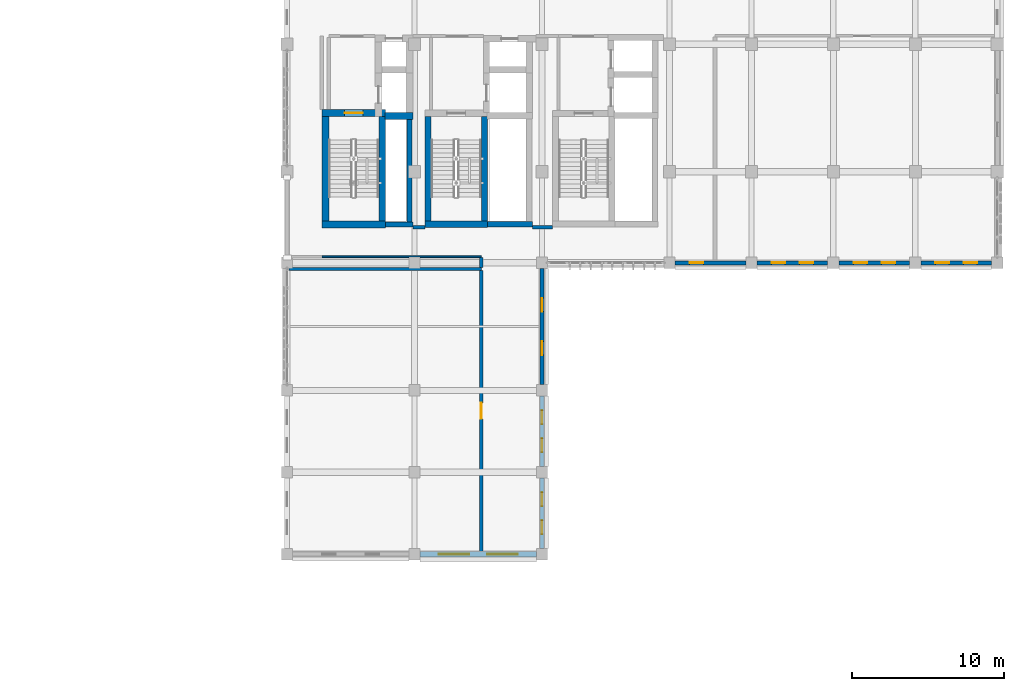
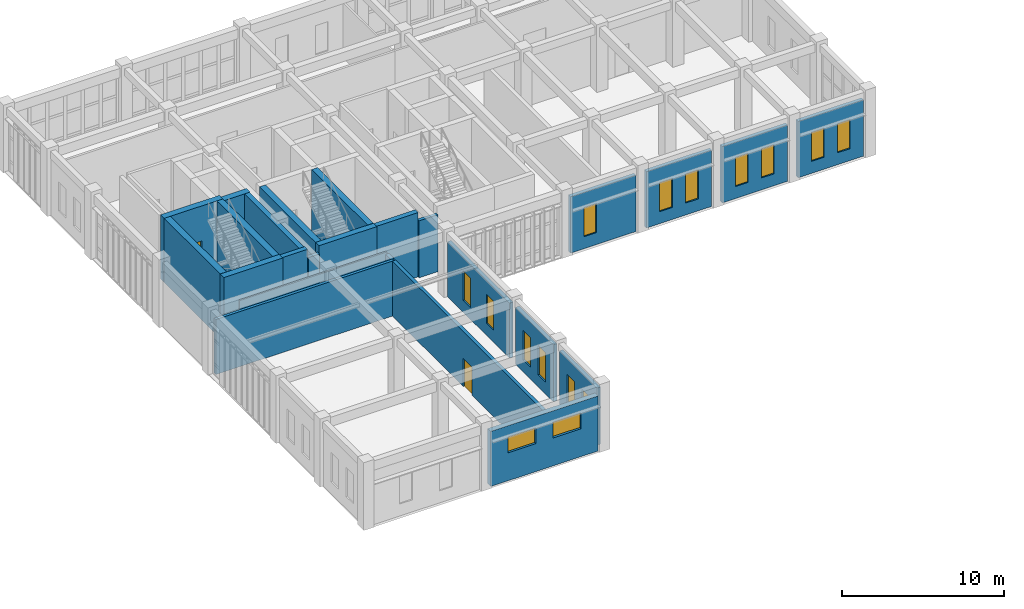
# One storey, part 66 of 77: 25 walls, 15 windows, 2 doors, 17 openings.
"""IFC4 building model written with IfcOpenShell, lengths in metres."""

from ifc_helpers import new_model, si_unit, direction, frame, frame_2d, origin, place, context, subcontext, project, spatial, rectangle, extrude, material, layer, layer_set, type_object, element, fill, save


model = new_model("IFC4")

# Units and contexts
model_context = context("Model", 3, precision=1e-05, world=origin(), true_north=direction((0.0, 1.0)))
body_context = subcontext(model_context, "Body", "Model", "MODEL_VIEW")
ifc_project = project(units=[si_unit("LENGTHUNIT", "METRE"), si_unit("AREAUNIT", "SQUARE_METRE"), si_unit("VOLUMEUNIT", "CUBIC_METRE"), si_unit("PLANEANGLEUNIT", "RADIAN"), si_unit("MASSUNIT", "GRAM", prefix="KILO")], contexts=[model_context])

# Site, building, storey
site_placement = place(None, origin())
site = spatial("IfcSite", under=ifc_project, at=site_placement, CompositionType="ELEMENT")
building_placement = place(site_placement, origin())
building = spatial("IfcBuilding", under=site, at=building_placement, Name="Krzemoval Escarpment Law Courts", CompositionType="ELEMENT")
storey_placement = place(building_placement, frame((0.0, 0.0, 15.300048828125)))
storey = spatial("IfcBuildingStorey", under=building, at=storey_placement, Name="L03", CompositionType="ELEMENT", Elevation=15.300048828125)

# Wall, openings, windows
ifc_material_1 = material(Name="Precast concrete C40/50", Category="concrete")
ifc_layer_1 = layer(ifc_material_1, 0.260009765625)
ifc_layer_set_1 = layer_set([ifc_layer_1], Name="Precast concrete C40/50")
wall_type_1 = type_object("IfcWallType", Name="WL-EXT-260", PredefinedType="SOLIDWALL", material=ifc_layer_set_1)
wall_1_placement = place(storey_placement, frame((172.425048828125, 93.60009765625, 0.0), z_axis=(0.0, 0.0, 1.0), x_axis=(-1.0, 0.0, 0.0)))
wall_1 = element("IfcWall", 1, at=wall_1_placement, inside=storey, type_object=wall_type_1, Name="Exterior Wall EW-L03-0384", PredefinedType="SOLIDWALL", context=body_context, shape_type="SweptSolid", body=[
    extrude(rectangle(XDim=4.650146484375, YDim=0.260009765625, at=frame_2d((2.3251953125, 0.0))), origin(), (0.0, 0.0, 1.0), 4.239990234375),
])
opening_1_placement = place(wall_1_placement, frame((0.949951171875, 0.0, 0.89990234375)))
opening_1 = element("IfcOpeningElement", 2, at=opening_1_placement, cuts=wall_1, Name="Opening WN-L03-0446", PredefinedType="OPENING", context=body_context, shape_type="SweptSolid", body=[
    extrude(rectangle(XDim=0.89990234375, YDim=2.199951171875, at=frame_2d((0.449951171875, 1.10009765625))), frame((0.0, 0.145, 0.0), z_axis=(0.0, -1.0, 0.0), x_axis=(1.0, 0.0, 0.0)), (0.0, 0.0, 1.0), 0.29001),
])
opening_2_placement = place(wall_1_placement, frame((2.800048828125, 0.0, 0.89990234375)))
opening_2 = element("IfcOpeningElement", 3, at=opening_2_placement, cuts=wall_1, Name="Opening WN-L03-0447", PredefinedType="OPENING", context=body_context, shape_type="SweptSolid", body=[
    extrude(rectangle(XDim=0.89990234375, YDim=2.199951171875, at=frame_2d((0.449951171875, 1.10009765625))), frame((0.0, 0.145, 0.0), z_axis=(0.0, -1.0, 0.0), x_axis=(1.0, 0.0, 0.0)), (0.0, 0.0, 1.0), 0.29001),
])
ifc_material_2 = material(Name="Thermally Broken Aluminium Frame with Triple Low-E Acoustic Glass", Category="aluminium")
window_type_1 = type_object("IfcWindowType", Name="WN-900x2200", PartitioningType="SINGLE_PANEL", PredefinedType="WINDOW", material=ifc_material_2)
window_1_placement = place(opening_1_placement, origin())
window_1 = element("IfcWindow", 4, at=window_1_placement, inside=storey, type_object=window_type_1, Name="Facade Window WN-L03-0446", OverallHeight=2.199951171875, OverallWidth=0.89990234375, PartitioningType="SINGLE_PANEL", PredefinedType="WINDOW", context=body_context, shape_type="SweptSolid", body=[
    extrude(rectangle(XDim=0.89990234375, YDim=2.199951171875, at=frame_2d((0.449951171875, 1.10009765625))), frame((0.0, 0.030029296875, 0.0), z_axis=(0.0, -1.0, 0.0), x_axis=(1.0, 0.0, 0.0)), (0.0, 0.0, 1.0), 0.06005859375),
])
fill(opening_1, window_1)
window_2_placement = place(opening_2_placement, origin())
window_2 = element("IfcWindow", 5, at=window_2_placement, inside=storey, type_object=window_type_1, Name="Facade Window WN-L03-0447", OverallHeight=2.199951171875, OverallWidth=0.89990234375, PartitioningType="SINGLE_PANEL", PredefinedType="WINDOW", context=body_context, shape_type="SweptSolid", body=[
    extrude(rectangle(XDim=0.89990234375, YDim=2.199951171875, at=frame_2d((0.449951171875, 1.10009765625))), frame((0.0, 0.030029296875, 0.0), z_axis=(0.0, -1.0, 0.0), x_axis=(1.0, 0.0, 0.0)), (0.0, 0.0, 1.0), 0.06005859375),
])
fill(opening_2, window_2)

wall_2_placement = place(storey_placement, frame((167.02490234375, 93.60009765625, 0.0), z_axis=(0.0, 0.0, 1.0), x_axis=(-1.0, 0.0, 0.0)))
wall_2 = element("IfcWall", 6, at=wall_2_placement, inside=storey, type_object=wall_type_1, Name="Exterior Wall EW-L03-0385", PredefinedType="SOLIDWALL", context=body_context, shape_type="SweptSolid", body=[
    extrude(rectangle(XDim=4.64990234375, YDim=0.260009765625, at=frame_2d((2.324951171875, 0.0))), origin(), (0.0, 0.0, 1.0), 4.239990234375),
])
opening_3_placement = place(wall_2_placement, frame((0.949951171875, 0.0, 0.89990234375)))
opening_3 = element("IfcOpeningElement", 7, at=opening_3_placement, cuts=wall_2, Name="Opening WN-L03-0448", PredefinedType="OPENING", context=body_context, shape_type="SweptSolid", body=[
    extrude(rectangle(XDim=0.89990234375, YDim=2.199951171875, at=frame_2d((0.449951171875, 1.10009765625))), frame((0.0, 0.145, 0.0), z_axis=(0.0, -1.0, 0.0), x_axis=(1.0, 0.0, 0.0)), (0.0, 0.0, 1.0), 0.29001),
])
opening_4_placement = place(wall_2_placement, frame((2.800048828125, 0.0, 0.89990234375)))
opening_4 = element("IfcOpeningElement", 8, at=opening_4_placement, cuts=wall_2, Name="Opening WN-L03-0449", PredefinedType="OPENING", context=body_context, shape_type="SweptSolid", body=[
    extrude(rectangle(XDim=0.89990234375, YDim=2.199951171875, at=frame_2d((0.449951171875, 1.10009765625))), frame((0.0, 0.145, 0.0), z_axis=(0.0, -1.0, 0.0), x_axis=(1.0, 0.0, 0.0)), (0.0, 0.0, 1.0), 0.29001),
])
window_3_placement = place(opening_3_placement, origin())
window_3 = element("IfcWindow", 9, at=window_3_placement, inside=storey, type_object=window_type_1, Name="Facade Window WN-L03-0448", OverallHeight=2.199951171875, OverallWidth=0.89990234375, PartitioningType="SINGLE_PANEL", PredefinedType="WINDOW", context=body_context, shape_type="SweptSolid", body=[
    extrude(rectangle(XDim=0.89990234375, YDim=2.199951171875, at=frame_2d((0.449951171875, 1.10009765625))), frame((0.0, 0.030029296875, 0.0), z_axis=(0.0, -1.0, 0.0), x_axis=(1.0, 0.0, 0.0)), (0.0, 0.0, 1.0), 0.06005859375),
])
fill(opening_3, window_3)
window_4_placement = place(opening_4_placement, origin())
window_4 = element("IfcWindow", 10, at=window_4_placement, inside=storey, type_object=window_type_1, Name="Facade Window WN-L03-0449", OverallHeight=2.199951171875, OverallWidth=0.89990234375, PartitioningType="SINGLE_PANEL", PredefinedType="WINDOW", context=body_context, shape_type="SweptSolid", body=[
    extrude(rectangle(XDim=0.89990234375, YDim=2.199951171875, at=frame_2d((0.449951171875, 1.10009765625))), frame((0.0, 0.030029296875, 0.0), z_axis=(0.0, -1.0, 0.0), x_axis=(1.0, 0.0, 0.0)), (0.0, 0.0, 1.0), 0.06005859375),
])
fill(opening_4, window_4)

wall_3_placement = place(storey_placement, frame((161.625, 93.60009765625, 0.0), z_axis=(0.0, 0.0, 1.0), x_axis=(-1.0, 0.0, 0.0)))
wall_3 = element("IfcWall", 11, at=wall_3_placement, inside=storey, type_object=wall_type_1, Name="Exterior Wall EW-L03-0386", PredefinedType="SOLIDWALL", context=body_context, shape_type="SweptSolid", body=[
    extrude(rectangle(XDim=4.64990234375, YDim=0.260009765625, at=frame_2d((2.324951171875, 0.0))), origin(), (0.0, 0.0, 1.0), 4.239990234375),
])
opening_5_placement = place(wall_3_placement, frame((0.949951171875, 0.0, 0.89990234375)))
opening_5 = element("IfcOpeningElement", 12, at=opening_5_placement, cuts=wall_3, Name="Opening WN-L03-0450", PredefinedType="OPENING", context=body_context, shape_type="SweptSolid", body=[
    extrude(rectangle(XDim=0.89990234375, YDim=2.199951171875, at=frame_2d((0.449951171875, 1.10009765625))), frame((0.0, 0.145, 0.0), z_axis=(0.0, -1.0, 0.0), x_axis=(1.0, 0.0, 0.0)), (0.0, 0.0, 1.0), 0.29001),
])
opening_6_placement = place(wall_3_placement, frame((2.800048828125, 0.0, 0.89990234375)))
opening_6 = element("IfcOpeningElement", 13, at=opening_6_placement, cuts=wall_3, Name="Opening WN-L03-0451", PredefinedType="OPENING", context=body_context, shape_type="SweptSolid", body=[
    extrude(rectangle(XDim=0.89990234375, YDim=2.199951171875, at=frame_2d((0.449951171875, 1.10009765625))), frame((0.0, 0.145, 0.0), z_axis=(0.0, -1.0, 0.0), x_axis=(1.0, 0.0, 0.0)), (0.0, 0.0, 1.0), 0.29001),
])
window_5_placement = place(opening_5_placement, origin())
window_5 = element("IfcWindow", 14, at=window_5_placement, inside=storey, type_object=window_type_1, Name="Facade Window WN-L03-0450", OverallHeight=2.199951171875, OverallWidth=0.89990234375, PartitioningType="SINGLE_PANEL", PredefinedType="WINDOW", context=body_context, shape_type="SweptSolid", body=[
    extrude(rectangle(XDim=0.89990234375, YDim=2.199951171875, at=frame_2d((0.449951171875, 1.10009765625))), frame((0.0, 0.030029296875, 0.0), z_axis=(0.0, -1.0, 0.0), x_axis=(1.0, 0.0, 0.0)), (0.0, 0.0, 1.0), 0.06005859375),
])
fill(opening_5, window_5)
window_6_placement = place(opening_6_placement, origin())
window_6 = element("IfcWindow", 15, at=window_6_placement, inside=storey, type_object=window_type_1, Name="Facade Window WN-L03-0451", OverallHeight=2.199951171875, OverallWidth=0.89990234375, PartitioningType="SINGLE_PANEL", PredefinedType="WINDOW", context=body_context, shape_type="SweptSolid", body=[
    extrude(rectangle(XDim=0.89990234375, YDim=2.199951171875, at=frame_2d((0.449951171875, 1.10009765625))), frame((0.0, 0.030029296875, 0.0), z_axis=(0.0, -1.0, 0.0), x_axis=(1.0, 0.0, 0.0)), (0.0, 0.0, 1.0), 0.06005859375),
])
fill(opening_6, window_6)

# Wall, opening, window
wall_4_placement = place(storey_placement, frame((156.22509765625, 93.60009765625, 0.0), z_axis=(0.0, 0.0, 1.0), x_axis=(-1.0, 0.0, 0.0)))
wall_4 = element("IfcWall", 16, at=wall_4_placement, inside=storey, type_object=wall_type_1, Name="Exterior Wall EW-L03-0387", PredefinedType="SOLIDWALL", context=body_context, shape_type="SweptSolid", body=[
    extrude(rectangle(XDim=4.650146484375, YDim=0.260009765625, at=frame_2d((2.3251953125, 0.0))), origin(), (0.0, 0.0, 1.0), 4.239990234375),
])
opening_7_placement = place(wall_4_placement, frame((2.800048828125, 0.0, 0.89990234375)))
opening_7 = element("IfcOpeningElement", 17, at=opening_7_placement, cuts=wall_4, Name="Opening WN-L03-0452", PredefinedType="OPENING", context=body_context, shape_type="SweptSolid", body=[
    extrude(rectangle(XDim=0.89990234375, YDim=2.199951171875, at=frame_2d((0.449951171875, 1.10009765625))), frame((0.0, 0.145, 0.0), z_axis=(0.0, -1.0, 0.0), x_axis=(1.0, 0.0, 0.0)), (0.0, 0.0, 1.0), 0.29001),
])
window_7_placement = place(opening_7_placement, origin())
window_7 = element("IfcWindow", 18, at=window_7_placement, inside=storey, type_object=window_type_1, Name="Facade Window WN-L03-0452", OverallHeight=2.199951171875, OverallWidth=0.89990234375, PartitioningType="SINGLE_PANEL", PredefinedType="WINDOW", context=body_context, shape_type="SweptSolid", body=[
    extrude(rectangle(XDim=0.89990234375, YDim=2.199951171875, at=frame_2d((0.449951171875, 1.10009765625))), frame((0.0, 0.030029296875, 0.0), z_axis=(0.0, -1.0, 0.0), x_axis=(1.0, 0.0, 0.0)), (0.0, 0.0, 1.0), 0.06005859375),
])
fill(opening_7, window_7)

# Wall, openings, windows
wall_5_placement = place(storey_placement, frame((142.800048828125, 93.22509765625, 0.0), z_axis=(0.0, 0.0, 1.0), x_axis=(0.0, -1.0, 0.0)))
wall_5 = element("IfcWall", 19, at=wall_5_placement, inside=storey, type_object=wall_type_1, Name="Exterior Wall EW-L03-0388", PredefinedType="SOLIDWALL", context=body_context, shape_type="SweptSolid", body=[
    extrude(rectangle(XDim=7.650146484375, YDim=0.260009765625, at=frame_2d((3.8251953125, 0.0))), origin(), (0.0, 0.0, 1.0), 4.139892578125),
])
opening_8_placement = place(wall_5_placement, frame((1.949951171875, 0.0, 0.89990234375)))
opening_8 = element("IfcOpeningElement", 20, at=opening_8_placement, cuts=wall_5, Name="Opening WN-L03-0453", PredefinedType="OPENING", context=body_context, shape_type="SweptSolid", body=[
    extrude(rectangle(XDim=0.89990234375, YDim=2.199951171875, at=frame_2d((0.449951171875, 1.10009765625))), frame((0.0, 0.145, 0.0), z_axis=(0.0, -1.0, 0.0), x_axis=(1.0, 0.0, 0.0)), (0.0, 0.0, 1.0), 0.29001),
])
opening_9_placement = place(wall_5_placement, frame((4.800048828125, 0.0, 0.89990234375)))
opening_9 = element("IfcOpeningElement", 21, at=opening_9_placement, cuts=wall_5, Name="Opening WN-L03-0454", PredefinedType="OPENING", context=body_context, shape_type="SweptSolid", body=[
    extrude(rectangle(XDim=0.89990234375, YDim=2.199951171875, at=frame_2d((0.449951171875, 1.10009765625))), frame((0.0, 0.145, 0.0), z_axis=(0.0, -1.0, 0.0), x_axis=(1.0, 0.0, 0.0)), (0.0, 0.0, 1.0), 0.29001),
])
window_8_placement = place(opening_8_placement, origin())
window_8 = element("IfcWindow", 22, at=window_8_placement, inside=storey, type_object=window_type_1, Name="Facade Window WN-L03-0453", OverallHeight=2.199951171875, OverallWidth=0.89990234375, PartitioningType="SINGLE_PANEL", PredefinedType="WINDOW", context=body_context, shape_type="SweptSolid", body=[
    extrude(rectangle(XDim=0.89990234375, YDim=2.199951171875, at=frame_2d((0.449951171875, 1.10009765625))), frame((0.0, 0.030029296875, 0.0), z_axis=(0.0, -1.0, 0.0), x_axis=(1.0, 0.0, 0.0)), (0.0, 0.0, 1.0), 0.06005859375),
])
fill(opening_8, window_8)
window_9_placement = place(opening_9_placement, origin())
window_9 = element("IfcWindow", 23, at=window_9_placement, inside=storey, type_object=window_type_1, Name="Facade Window WN-L03-0454", OverallHeight=2.199951171875, OverallWidth=0.89990234375, PartitioningType="SINGLE_PANEL", PredefinedType="WINDOW", context=body_context, shape_type="SweptSolid", body=[
    extrude(rectangle(XDim=0.89990234375, YDim=2.199951171875, at=frame_2d((0.449951171875, 1.10009765625))), frame((0.0, 0.030029296875, 0.0), z_axis=(0.0, -1.0, 0.0), x_axis=(1.0, 0.0, 0.0)), (0.0, 0.0, 1.0), 0.06005859375),
])
fill(opening_9, window_9)

wall_6_placement = place(storey_placement, frame((142.800048828125, 84.824951171875, 0.0), z_axis=(0.0, 0.0, 1.0), x_axis=(0.0, -1.0, 0.0)))
wall_6 = element("IfcWall", 24, at=wall_6_placement, inside=storey, type_object=wall_type_1, Name="Exterior Wall EW-L03-0389", PredefinedType="SOLIDWALL", context=body_context, shape_type="SweptSolid", body=[
    extrude(rectangle(XDim=4.64990234375, YDim=0.260009765625, at=frame_2d((2.324951171875, 0.0))), origin(), (0.0, 0.0, 1.0), 4.2900390625),
])
opening_10_placement = place(wall_6_placement, frame((0.949951171875, 0.0, 0.89990234375)))
opening_10 = element("IfcOpeningElement", 25, at=opening_10_placement, cuts=wall_6, Name="Opening WN-L03-0455", PredefinedType="OPENING", context=body_context, shape_type="SweptSolid", body=[
    extrude(rectangle(XDim=0.89990234375, YDim=2.199951171875, at=frame_2d((0.449951171875, 1.10009765625))), frame((0.0, 0.145, 0.0), z_axis=(0.0, -1.0, 0.0), x_axis=(1.0, 0.0, 0.0)), (0.0, 0.0, 1.0), 0.29001),
])
opening_11_placement = place(wall_6_placement, frame((2.800048828125, 0.0, 0.89990234375)))
opening_11 = element("IfcOpeningElement", 26, at=opening_11_placement, cuts=wall_6, Name="Opening WN-L03-0456", PredefinedType="OPENING", context=body_context, shape_type="SweptSolid", body=[
    extrude(rectangle(XDim=0.89990234375, YDim=2.199951171875, at=frame_2d((0.449951171875, 1.10009765625))), frame((0.0, 0.145, 0.0), z_axis=(0.0, -1.0, 0.0), x_axis=(1.0, 0.0, 0.0)), (0.0, 0.0, 1.0), 0.29001),
])
window_10_placement = place(opening_10_placement, origin())
window_10 = element("IfcWindow", 27, at=window_10_placement, inside=storey, type_object=window_type_1, Name="Facade Window WN-L03-0455", OverallHeight=2.199951171875, OverallWidth=0.89990234375, PartitioningType="SINGLE_PANEL", PredefinedType="WINDOW", context=body_context, shape_type="SweptSolid", body=[
    extrude(rectangle(XDim=0.89990234375, YDim=2.199951171875, at=frame_2d((0.449951171875, 1.10009765625))), frame((0.0, 0.030029296875, 0.0), z_axis=(0.0, -1.0, 0.0), x_axis=(1.0, 0.0, 0.0)), (0.0, 0.0, 1.0), 0.06005859375),
])
fill(opening_10, window_10)
window_11_placement = place(opening_11_placement, origin())
window_11 = element("IfcWindow", 28, at=window_11_placement, inside=storey, type_object=window_type_1, Name="Facade Window WN-L03-0456", OverallHeight=2.199951171875, OverallWidth=0.89990234375, PartitioningType="SINGLE_PANEL", PredefinedType="WINDOW", context=body_context, shape_type="SweptSolid", body=[
    extrude(rectangle(XDim=0.89990234375, YDim=2.199951171875, at=frame_2d((0.449951171875, 1.10009765625))), frame((0.0, 0.030029296875, 0.0), z_axis=(0.0, -1.0, 0.0), x_axis=(1.0, 0.0, 0.0)), (0.0, 0.0, 1.0), 0.06005859375),
])
fill(opening_11, window_11)

wall_7_placement = place(storey_placement, frame((142.800048828125, 79.425048828125, 0.0), z_axis=(0.0, 0.0, 1.0), x_axis=(0.0, -1.0, 0.0)))
wall_7 = element("IfcWall", 29, at=wall_7_placement, inside=storey, type_object=wall_type_1, Name="Exterior Wall EW-L03-0390", PredefinedType="SOLIDWALL", context=body_context, shape_type="SweptSolid", body=[
    extrude(rectangle(XDim=4.650146484375, YDim=0.260009765625, at=frame_2d((2.3251953125, 0.0))), origin(), (0.0, 0.0, 1.0), 4.2900390625),
])
opening_12_placement = place(wall_7_placement, frame((0.949951171875, 0.0, 0.89990234375)))
opening_12 = element("IfcOpeningElement", 30, at=opening_12_placement, cuts=wall_7, Name="Opening WN-L03-0457", PredefinedType="OPENING", context=body_context, shape_type="SweptSolid", body=[
    extrude(rectangle(XDim=0.89990234375, YDim=2.199951171875, at=frame_2d((0.449951171875, 1.10009765625))), frame((0.0, 0.145, 0.0), z_axis=(0.0, -1.0, 0.0), x_axis=(1.0, 0.0, 0.0)), (0.0, 0.0, 1.0), 0.29001),
])
opening_13_placement = place(wall_7_placement, frame((2.800048828125, 0.0, 0.89990234375)))
opening_13 = element("IfcOpeningElement", 31, at=opening_13_placement, cuts=wall_7, Name="Opening WN-L03-0458", PredefinedType="OPENING", context=body_context, shape_type="SweptSolid", body=[
    extrude(rectangle(XDim=0.89990234375, YDim=2.199951171875, at=frame_2d((0.449951171875, 1.10009765625))), frame((0.0, 0.145, 0.0), z_axis=(0.0, -1.0, 0.0), x_axis=(1.0, 0.0, 0.0)), (0.0, 0.0, 1.0), 0.29001),
])
window_12_placement = place(opening_12_placement, origin())
window_12 = element("IfcWindow", 32, at=window_12_placement, inside=storey, type_object=window_type_1, Name="Facade Window WN-L03-0457", OverallHeight=2.199951171875, OverallWidth=0.89990234375, PartitioningType="SINGLE_PANEL", PredefinedType="WINDOW", context=body_context, shape_type="SweptSolid", body=[
    extrude(rectangle(XDim=0.89990234375, YDim=2.199951171875, at=frame_2d((0.449951171875, 1.10009765625))), frame((0.0, 0.030029296875, 0.0), z_axis=(0.0, -1.0, 0.0), x_axis=(1.0, 0.0, 0.0)), (0.0, 0.0, 1.0), 0.06005859375),
])
fill(opening_12, window_12)
window_13_placement = place(opening_13_placement, origin())
window_13 = element("IfcWindow", 33, at=window_13_placement, inside=storey, type_object=window_type_1, Name="Facade Window WN-L03-0458", OverallHeight=2.199951171875, OverallWidth=0.89990234375, PartitioningType="SINGLE_PANEL", PredefinedType="WINDOW", context=body_context, shape_type="SweptSolid", body=[
    extrude(rectangle(XDim=0.89990234375, YDim=2.199951171875, at=frame_2d((0.449951171875, 1.10009765625))), frame((0.0, 0.030029296875, 0.0), z_axis=(0.0, -1.0, 0.0), x_axis=(1.0, 0.0, 0.0)), (0.0, 0.0, 1.0), 0.06005859375),
])
fill(opening_13, window_13)

ifc_material_3 = material(Name="Concrete C40/50", Category="concrete")
ifc_layer_2 = layer(ifc_material_3, 0.3798828125)
ifc_layer_set_2 = layer_set([ifc_layer_2], Name="Concrete C40/50")
wall_type_2 = type_object("IfcWallType", Name="WL-EXT-380", PredefinedType="SOLIDWALL", material=ifc_layer_set_2)
wall_8_placement = place(storey_placement, frame((142.425048828125, 74.39990234375, 0.0), z_axis=(0.0, 0.0, 1.0), x_axis=(-1.0, 0.0, 0.0)))
wall_8 = element("IfcWall", 34, at=wall_8_placement, inside=storey, type_object=wall_type_2, Name="Exterior Wall EW-L03-0391", PredefinedType="SOLIDWALL", context=body_context, shape_type="SweptSolid", body=[
    extrude(rectangle(XDim=7.650146484375, YDim=0.3798828125, at=frame_2d((3.8251953125, 0.0))), origin(), (0.0, 0.0, 1.0), 4.139892578125),
])
opening_14_placement = place(wall_8_placement, frame((1.217041015625, 0.0, 2.10009765625)))
opening_14 = element("IfcOpeningElement", 35, at=opening_14_placement, cuts=wall_8, Name="Opening WN-L03-0459", PredefinedType="OPENING", context=body_context, shape_type="SweptSolid", body=[
    extrude(rectangle(XDim=2.0, YDim=1.199951171875, at=frame_2d((1.0, 0.60009765625))), frame((0.0, 0.20494, 0.0), z_axis=(0.0, -1.0, 0.0), x_axis=(1.0, 0.0, 0.0)), (0.0, 0.0, 1.0), 0.40988),
])
opening_15_placement = place(wall_8_placement, frame((4.43310546875, 0.0, 2.10009765625)))
opening_15 = element("IfcOpeningElement", 36, at=opening_15_placement, cuts=wall_8, Name="Opening WN-L03-0460", PredefinedType="OPENING", context=body_context, shape_type="SweptSolid", body=[
    extrude(rectangle(XDim=2.0, YDim=1.199951171875, at=frame_2d((1.0, 0.60009765625))), frame((0.0, 0.20494, 0.0), z_axis=(0.0, -1.0, 0.0), x_axis=(1.0, 0.0, 0.0)), (0.0, 0.0, 1.0), 0.40988),
])
ifc_material_4 = material(Name="Thermally Broken Aluminium Frame with Triple Low-E Acoustic Glass", Category="aluminium")
window_type_2 = type_object("IfcWindowType", Name="WN-2000x1200", PartitioningType="SINGLE_PANEL", PredefinedType="WINDOW", material=ifc_material_4)
window_14_placement = place(opening_14_placement, origin())
window_14 = element("IfcWindow", 37, at=window_14_placement, inside=storey, type_object=window_type_2, Name="Facade Window WN-L03-0459", OverallHeight=1.199951171875, OverallWidth=2.0, PartitioningType="SINGLE_PANEL", PredefinedType="WINDOW", context=body_context, shape_type="SweptSolid", body=[
    extrude(rectangle(XDim=2.0, YDim=1.199951171875, at=frame_2d((1.0, 0.60009765625))), frame((0.0, 0.030029296875, 0.0), z_axis=(0.0, -1.0, 0.0), x_axis=(1.0, 0.0, 0.0)), (0.0, 0.0, 1.0), 0.06005859375),
])
fill(opening_14, window_14)
window_15_placement = place(opening_15_placement, origin())
window_15 = element("IfcWindow", 38, at=window_15_placement, inside=storey, type_object=window_type_2, Name="Facade Window WN-L03-0460", OverallHeight=1.199951171875, OverallWidth=2.0, PartitioningType="SINGLE_PANEL", PredefinedType="WINDOW", context=body_context, shape_type="SweptSolid", body=[
    extrude(rectangle(XDim=2.0, YDim=1.199951171875, at=frame_2d((1.0, 0.60009765625))), frame((0.0, 0.030029296875, 0.0), z_axis=(0.0, -1.0, 0.0), x_axis=(1.0, 0.0, 0.0)), (0.0, 0.0, 1.0), 0.06005859375),
])
fill(opening_15, window_15)

# Walls
ifc_material_5 = material(Name="Light Internal Subdivision Partition", Category="gypsum")
ifc_layer_3 = layer(ifc_material_5, 0.114990234375)
ifc_layer_set_3 = layer_set([ifc_layer_3], Name="Light Internal Subdivision Partition")
wall_type_3 = type_object("IfcWallType", Name="WL-PRT-115", PredefinedType="PARTITIONING", material=ifc_layer_set_3)
wall_9_placement = place(storey_placement, frame((128.300048828125, 94.0, 0.0), z_axis=(0.0, 0.0, 1.0), x_axis=(1.0, 0.0, 0.0)))
element("IfcWall", 39, at=wall_9_placement, inside=storey, type_object=wall_type_3, Name="Interior Partition PW-L03-0520", PredefinedType="PARTITIONING", context=body_context, shape_type="SweptSolid", body=[
    extrude(rectangle(XDim=10.5, YDim=0.114990234375, at=frame_2d((5.25, 0.0))), origin(), (0.0, 0.0, 1.0), 4.2900390625),
])
ifc_material_6 = material(Name="Fire-Rated Corridor Partition Wall", Category="gypsum")
ifc_layer_4 = layer(ifc_material_6, 0.199951171875)
ifc_layer_set_4 = layer_set([ifc_layer_4], Name="Fire-Rated Corridor Partition Wall")
wall_type_4 = type_object("IfcWallType", Name="WL-PRT-200", PredefinedType="PARTITIONING", material=ifc_layer_set_4)
wall_10_placement = place(storey_placement, frame((126.114990234375, 93.199951171875, 0.0), z_axis=(0.0, 0.0, 1.0), x_axis=(1.0, 0.0, 0.0)))
element("IfcWall", 40, at=wall_10_placement, inside=storey, type_object=wall_type_4, Name="Interior Partition PW-L03-0518", PredefinedType="PARTITIONING", context=body_context, shape_type="SweptSolid", body=[
    extrude(rectangle(XDim=12.68505859375, YDim=0.199951171875, at=frame_2d((6.342529296875, 0.0))), origin(), (0.0, 0.0, 1.0), 4.139892578125),
])
ifc_material_7 = material(Name="Acoustic Calcium-Silicate Block Wall", Category="masonry")
ifc_layer_5 = layer(ifc_material_7, 0.22998046875)
ifc_layer_set_5 = layer_set([ifc_layer_5], Name="Acoustic Calcium-Silicate Block Wall")
wall_type_5 = type_object("IfcWallType", Name="WL-PRT-230", PredefinedType="SOLIDWALL", material=ifc_layer_set_5)
wall_11_placement = place(storey_placement, frame((134.300048828125, 95.949951171875, 0.0), z_axis=(0.0, 0.0, 1.0), x_axis=(1.0, 0.0, 0.0)))
element("IfcWall", 41, at=wall_11_placement, inside=storey, type_object=wall_type_5, Name="Interior Partition PW-L03-0521", PredefinedType="SOLIDWALL", context=body_context, shape_type="SweptSolid", body=[
    extrude(rectangle(XDim=0.780029296875, YDim=0.22998046875, at=frame_2d((0.39013671875, 0.0))), origin(), (0.0, 0.0, 1.0), 4.2900390625),
])
wall_12_placement = place(storey_placement, frame((142.169921875, 95.949951171875, 0.0), z_axis=(0.0, 0.0, 1.0), x_axis=(1.0, 0.0, 0.0)))
element("IfcWall", 42, at=wall_12_placement, inside=storey, type_object=wall_type_5, Name="Interior Partition PW-L03-0522", PredefinedType="SOLIDWALL", context=body_context, shape_type="SweptSolid", body=[
    extrude(rectangle(XDim=1.330078125, YDim=0.22998046875, at=frame_2d((0.6650390625, 0.0))), origin(), (0.0, 0.0, 1.0), 4.2900390625),
])

# Wall, opening, door
wall_13_placement = place(storey_placement, frame((138.800048828125, 74.592041015625, 0.0), z_axis=(0.0, 0.0, 1.0), x_axis=(0.0, 1.0, 0.0)))
wall_13 = element("IfcWall", 43, at=wall_13_placement, inside=storey, type_object=wall_type_5, Name="Interior Partition PW-L03-0580", PredefinedType="SOLIDWALL", context=body_context, shape_type="SweptSolid", body=[
    extrude(rectangle(XDim=18.505859375, YDim=0.22998046875, at=frame_2d((9.2529296875, 0.0))), origin(), (0.0, 0.0, 1.0), 4.139892578125),
])
opening_16_placement = place(wall_13_placement, frame((8.72802734375, 0.0, 0.0)))
opening_16 = element("IfcOpeningElement", 44, at=opening_16_placement, cuts=wall_13, Name="Opening D-L03-0196", PredefinedType="OPENING", context=body_context, shape_type="SweptSolid", body=[
    extrude(rectangle(XDim=1.050048828125, YDim=2.10009765625, at=frame_2d((0.52490234375, 1.050048828125))), frame((0.0, 0.12999, 0.0), z_axis=(0.0, -1.0, 0.0), x_axis=(1.0, 0.0, 0.0)), (0.0, 0.0, 1.0), 0.25998),
])
ifc_material_8 = material(Name="Engineered Solid-Core Oak Acoustic Timber", Category="wood")
door_type_1 = type_object("IfcDoorType", Name="DR-INT-1050x2100", OperationType="SINGLE_SWING_LEFT", PredefinedType="DOOR", material=ifc_material_8)
door_1_placement = place(opening_16_placement, origin())
door_1 = element("IfcDoor", 45, at=door_1_placement, inside=storey, type_object=door_type_1, Name="Room Door D-L03-0196", OperationType="SINGLE_SWING_RIGHT", OverallHeight=2.10009765625, OverallWidth=1.050048828125, PredefinedType="DOOR", context=body_context, shape_type="SweptSolid", body=[
    extrude(rectangle(XDim=1.050048828125, YDim=2.10009765625, at=frame_2d((0.52490234375, 1.050048828125))), frame((0.0, 0.02490234375, 0.0), z_axis=(0.0, -1.0, 0.0), x_axis=(1.0, 0.0, 0.0)), (0.0, 0.0, 1.0), 0.050048828125),
])
fill(opening_16, door_1)

# Walls
ifc_material_9 = material(Name="Acoustic Courtroom Partition Assembly", Category="gypsum")
ifc_layer_6 = layer(ifc_material_9, 0.239990234375)
ifc_layer_set_6 = layer_set([ifc_layer_6], Name="Acoustic Courtroom Partition Assembly")
wall_type_6 = type_object("IfcWallType", Name="WL-PRT-240", PredefinedType="PARTITIONING", material=ifc_layer_set_6)
wall_14_placement = place(storey_placement, frame((138.800048828125, 93.302001953125, 0.0), z_axis=(0.0, 0.0, 1.0), x_axis=(0.0, 1.0, 0.0)))
element("IfcWall", 46, at=wall_14_placement, inside=storey, type_object=wall_type_6, Name="Interior Partition PW-L03-0581", PredefinedType="PARTITIONING", context=body_context, shape_type="SweptSolid", body=[
    extrude(rectangle(XDim=0.638916015625, YDim=0.239990234375, at=frame_2d((0.3193359375, 0.0))), origin(), (0.0, 0.0, 1.0), 4.139892578125),
])
ifc_material_10 = material(Name="Concrete C40/50", Category="concrete")
ifc_layer_7 = layer(ifc_material_10, 0.35009765625)
ifc_layer_set_7 = layer_set([ifc_layer_7], Name="Concrete C40/50")
wall_type_7 = type_object("IfcWallType", Name="WL-SHW-350", PredefinedType="SHEAR", material=ifc_layer_set_7)
wall_15_placement = place(storey_placement, frame((132.5, 96.125, 0.0), z_axis=(0.0, 0.0, 1.0), x_axis=(1.0, 0.0, 0.0)))
element("IfcWall", 47, at=wall_15_placement, inside=storey, type_object=wall_type_7, Name="Riser Shaft Wall SW-L03-0064", PredefinedType="SHEAR", context=body_context, shape_type="SweptSolid", body=[
    extrude(rectangle(XDim=1.800048828125, YDim=0.35009765625, at=frame_2d((0.89990234375, 0.0))), origin(), (0.0, 0.0, 1.0), 4.83984375),
])
wall_16_placement = place(storey_placement, frame((134.074951171875, 96.294921875, 0.0), z_axis=(0.0, 0.0, 1.0), x_axis=(0.0, 1.0, 0.0)))
element("IfcWall", 48, at=wall_16_placement, inside=storey, type_object=wall_type_7, Name="Riser Shaft Wall SW-L03-0065", PredefinedType="SHEAR", context=body_context, shape_type="SweptSolid", body=[
    extrude(rectangle(XDim=7.212158203125, YDim=0.35009765625, at=frame_2d((3.60595703125, 0.0))), origin(), (0.0, 0.0, 1.0), 4.83984375),
])
wall_17_placement = place(storey_placement, frame((139.219970703125, 96.139892578125, 0.0), z_axis=(0.0, 0.0, 1.0), x_axis=(1.0, 0.0, 0.0)))
element("IfcWall", 49, at=wall_17_placement, inside=storey, type_object=wall_type_7, Name="Riser Shaft Wall SW-L03-0214", PredefinedType="SHEAR", context=body_context, shape_type="SweptSolid", body=[
    extrude(rectangle(XDim=2.949951171875, YDim=0.35009765625, at=frame_2d((1.47509765625, 0.0))), origin(), (0.0, 0.0, 1.0), 4.83984375),
])
ifc_material_11 = material(Name="Concrete C40/50", Category="concrete")
ifc_layer_8 = layer(ifc_material_11, 0.419921875)
ifc_layer_set_8 = layer_set([ifc_layer_8], Name="Concrete C40/50")
wall_type_8 = type_object("IfcWallType", Name="WL-SHW-420", PredefinedType="SHEAR", material=ifc_layer_set_8)
wall_18_placement = place(storey_placement, frame((135.080078125, 96.139892578125, 0.0), z_axis=(0.0, 0.0, 1.0), x_axis=(1.0, 0.0, 0.0)))
element("IfcWall", 50, at=wall_18_placement, inside=storey, type_object=wall_type_8, Name="Core Stair Shear Wall SW-L03-0204", PredefinedType="SHEAR", context=body_context, shape_type="SweptSolid", body=[
    extrude(rectangle(XDim=4.139892578125, YDim=0.419921875, at=frame_2d((2.06982421875, 0.0))), origin(), (0.0, 0.0, 1.0), 4.83984375),
])
for number, where, z_axis, x_axis, name in (
    (51, (135.2900390625, 96.35205078125, 0.0), (0.0, 0.0, 1.0), (0.0, 1.0, 0.0), "Core Stair Shear Wall SW-L03-0205"),
    (52, (139.010009765625, 96.35205078125, 0.0), (0.0, 0.0, 1.0), (0.0, 1.0, 0.0), "Core Stair Shear Wall SW-L03-0206"),
):
    element("IfcWall", number, at=place(storey_placement, frame(where, z_axis=z_axis, x_axis=x_axis)), inside=storey, type_object=wall_type_8, Name=name, PredefinedType="SHEAR", context=body_context, shape_type="SweptSolid", body=[
        extrude(rectangle(XDim=6.89599609375, YDim=0.419921875, at=frame_2d((3.447998046875, 0.0))), origin(), (0.0, 0.0, 1.0), 4.83984375),
    ])

# Wall, opening, door
ifc_material_12 = material(Name="Concrete C40/50", Category="concrete")
ifc_layer_9 = layer(ifc_material_12, 0.449951171875)
ifc_layer_set_9 = layer_set([ifc_layer_9], Name="Concrete C40/50")
wall_type_9 = type_object("IfcWallType", Name="WL-SHW-450", PredefinedType="SHEAR", material=ifc_layer_set_9)
wall_19_placement = place(storey_placement, frame((128.300048828125, 103.47509765625, 0.0), z_axis=(0.0, 0.0, 1.0), x_axis=(1.0, 0.0, 0.0)))
wall_19 = element("IfcWall", 53, at=wall_19_placement, inside=storey, type_object=wall_type_9, Name="Core Stair Shear Wall SW-L03-0053", PredefinedType="SHEAR", context=body_context, shape_type="SweptSolid", body=[
    extrude(rectangle(XDim=4.199951171875, YDim=0.449951171875, at=frame_2d((2.10009765625, 0.0))), origin(), (0.0, 0.0, 1.0), 4.83984375),
])
opening_17_placement = place(wall_19_placement, frame((1.5, 0.0, 0.0)))
opening_17 = element("IfcOpeningElement", 54, at=opening_17_placement, cuts=wall_19, Name="Opening SD-ST1-L03", PredefinedType="OPENING", context=body_context, shape_type="SweptSolid", body=[
    extrude(rectangle(XDim=1.199951171875, YDim=2.199951171875, at=frame_2d((0.60009765625, 1.10009765625))), frame((0.0, 0.23998, 0.0), z_axis=(0.0, -1.0, 0.0), x_axis=(1.0, 0.0, 0.0)), (0.0, 0.0, 1.0), 0.47995),
])
ifc_material_13 = material(Name="Galvanised Steel S355", Category="steel")
door_type_2 = type_object("IfcDoorType", Name="DR-STR-1200x2200", OperationType="SINGLE_SWING_LEFT", PredefinedType="DOOR", material=ifc_material_13)
door_2_placement = place(opening_17_placement, origin())
door_2 = element("IfcDoor", 55, at=door_2_placement, inside=storey, type_object=door_type_2, Name="Stair Exit Door SD-ST1-L03", OperationType="SINGLE_SWING_RIGHT", OverallHeight=2.199951171875, OverallWidth=1.199951171875, PredefinedType="DOOR", context=body_context, shape_type="SweptSolid", body=[
    extrude(rectangle(XDim=1.199951171875, YDim=2.199951171875, at=frame_2d((0.60009765625, 1.10009765625))), frame((0.0, 0.02490234375, 0.0), z_axis=(0.0, -1.0, 0.0), x_axis=(1.0, 0.0, 0.0)), (0.0, 0.0, 1.0), 0.050048828125),
])
fill(opening_17, door_2)

# Walls
wall_20_placement = place(storey_placement, frame((128.300048828125, 96.125, 0.0), z_axis=(0.0, 0.0, 1.0), x_axis=(1.0, 0.0, 0.0)))
element("IfcWall", 56, at=wall_20_placement, inside=storey, type_object=wall_type_9, Name="Core Stair Shear Wall SW-L03-0054", PredefinedType="SHEAR", context=body_context, shape_type="SweptSolid", body=[
    extrude(rectangle(XDim=4.199951171875, YDim=0.449951171875, at=frame_2d((2.10009765625, 0.0))), origin(), (0.0, 0.0, 1.0), 4.83984375),
])
for number, where, z_axis, x_axis, name in (
    (57, (128.52490234375, 96.35205078125, 0.0), (0.0, 0.0, 1.0), (0.0, 1.0, 0.0), "Core Stair Shear Wall SW-L03-0055"),
    (58, (132.27490234375, 96.35205078125, 0.0), (0.0, 0.0, 1.0), (0.0, 1.0, 0.0), "Core Stair Shear Wall SW-L03-0056"),
):
    element("IfcWall", number, at=place(storey_placement, frame(where, z_axis=z_axis, x_axis=x_axis)), inside=storey, type_object=wall_type_9, Name=name, PredefinedType="SHEAR", context=body_context, shape_type="SweptSolid", body=[
        extrude(rectangle(XDim=6.89599609375, YDim=0.449951171875, at=frame_2d((3.447998046875, 0.0))), origin(), (0.0, 0.0, 1.0), 4.83984375),
    ])
wall_21_placement = place(storey_placement, frame((132.468017578125, 103.27490234375, 0.0), z_axis=(0.0, 0.0, 1.0), x_axis=(1.0, 0.0, 0.0)))
element("IfcWall", 59, at=wall_21_placement, inside=storey, type_object=wall_type_9, Name="Lift Shaft Shear Wall SW-L03-0057", PredefinedType="SHEAR", context=body_context, shape_type="SweptSolid", body=[
    extrude(rectangle(XDim=1.83203125, YDim=0.449951171875, at=frame_2d((0.916015625, 0.0))), origin(), (0.0, 0.0, 1.0), 4.83984375),
])

save(model, "model.ifc")
